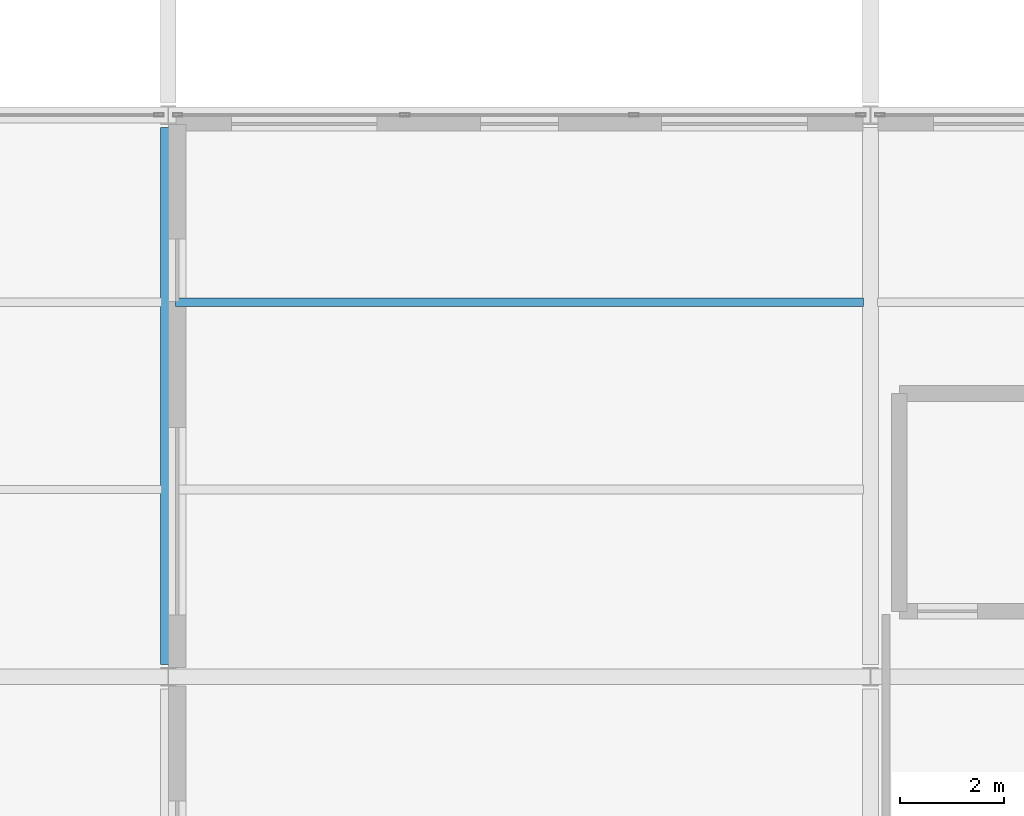
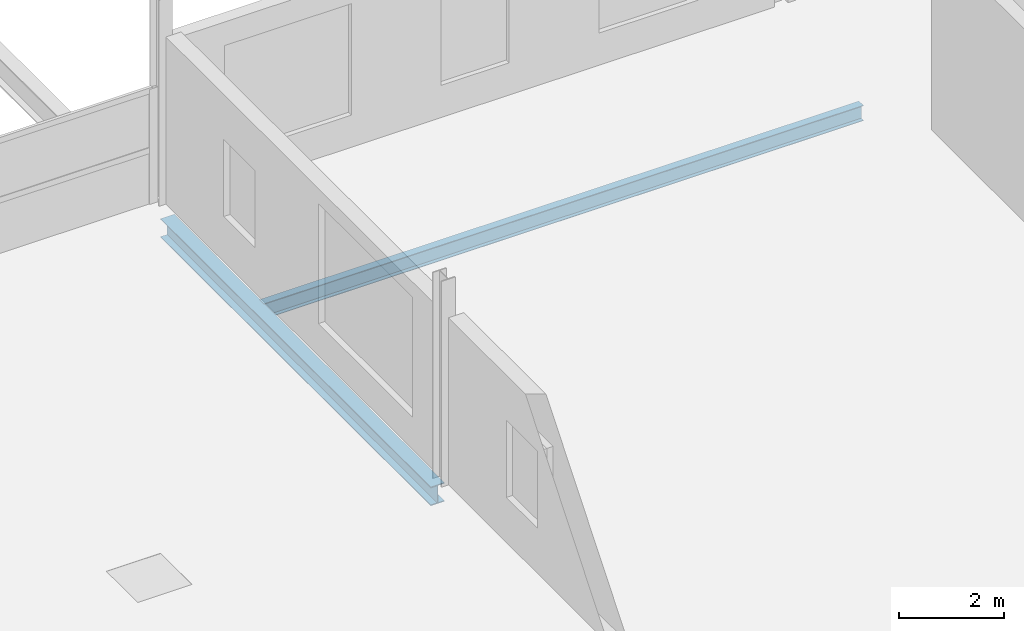
# One storey, part 86 of 134: 2 beams.
"""IFC4 building model written with IfcOpenShell, lengths in metres."""

from ifc_helpers import new_model, si_unit, direction, frame, origin, origin_2d, place, context, subcontext, project, spatial, i_section, extrude, material, material_profile, profile_set, type_object, element, save


model = new_model("IFC4")

# Units and contexts
model_context = context("Model", 3, precision=1e-05, world=origin(), true_north=direction((0.0, 1.0)))
body_context = subcontext(model_context, "Body", "Model", "MODEL_VIEW")
ifc_project = project(units=[si_unit("LENGTHUNIT", "METRE"), si_unit("AREAUNIT", "SQUARE_METRE"), si_unit("VOLUMEUNIT", "CUBIC_METRE"), si_unit("PLANEANGLEUNIT", "RADIAN"), si_unit("MASSUNIT", "GRAM", prefix="KILO")], contexts=[model_context])

# Site, building, storey
site_placement = place(None, origin())
site = spatial("IfcSite", under=ifc_project, at=site_placement, CompositionType="ELEMENT")
building_placement = place(site_placement, origin())
building = spatial("IfcBuilding", under=site, at=building_placement, Name="Tamarisk Ironworks Central Station", CompositionType="ELEMENT")
storey_placement = place(building_placement, frame((0.0, 0.0, 12.60009765625)))
storey = spatial("IfcBuildingStorey", under=building, at=storey_placement, Name="L02", CompositionType="ELEMENT", Elevation=12.60009765625)

# Beams
ifc_material = material(Name="Structural steel S355J2", Category="steel")
ifc_material_profile_1 = material_profile(ifc_material, i_section(OverallWidth=0.169921875, OverallDepth=0.360107421875, WebThickness=0.008056640625, FlangeThickness=0.0126953125, at=origin_2d()), Name="IPE 360")
ifc_profile_set_1 = profile_set([ifc_material_profile_1], Name="Structural steel S355J2")
beam_type_1 = type_object("IfcBeamType", Name="BM-B05", PredefinedType="BEAM", material=ifc_profile_set_1)
beam_1_placement = place(storey_placement, frame((153.135009765625, 18.0, -0.43017578125), z_axis=(1.0, 0.0, 0.0), x_axis=(0.0, 1.0, 0.0)))
element("IfcBeam", 1, at=beam_1_placement, inside=storey, type_object=beam_type_1, Name="L02 secondary composite beam 0193", PredefinedType="BEAM", context=body_context, shape_type="SweptSolid", body=[
    extrude(i_section(OverallWidth=0.169921875, OverallDepth=0.360107421875, WebThickness=0.008056640625, FlangeThickness=0.0126953125, at=origin_2d()), origin(), (0.0, 0.0, 1.0), 13.22998046875),
])
ifc_material_profile_2 = material_profile(ifc_material, i_section(OverallWidth=0.300048828125, OverallDepth=0.43994140625, WebThickness=0.011474609375, FlangeThickness=0.02099609375, at=origin_2d()), Name="HEA 450")
ifc_profile_set_2 = profile_set([ifc_material_profile_2], Name="Structural steel S355J2")
beam_type_2 = type_object("IfcBeamType", Name="BM-G06", PredefinedType="BEAM", material=ifc_profile_set_2)
beam_2_placement = place(storey_placement, frame((153.0, 11.0380859375, -0.47021484375), z_axis=(0.0, 1.0, 0.0), x_axis=(-1.0, 0.0, 0.0)))
element("IfcBeam", 2, at=beam_2_placement, inside=storey, type_object=beam_type_2, Name="L02 primary girder Y-0513", PredefinedType="BEAM", context=body_context, shape_type="SweptSolid", body=[
    extrude(i_section(OverallWidth=0.300048828125, OverallDepth=0.43994140625, WebThickness=0.011474609375, FlangeThickness=0.02099609375, at=origin_2d()), origin(), (0.0, 0.0, 1.0), 10.323974609375),
])

save(model, "model.ifc")
